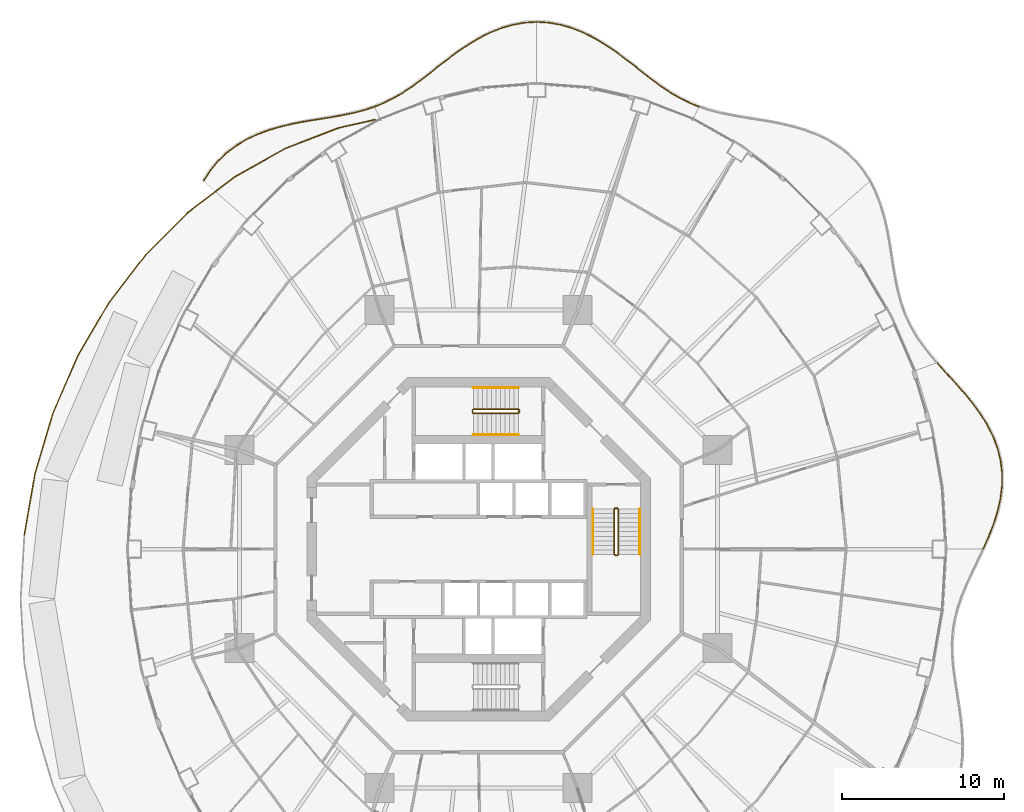
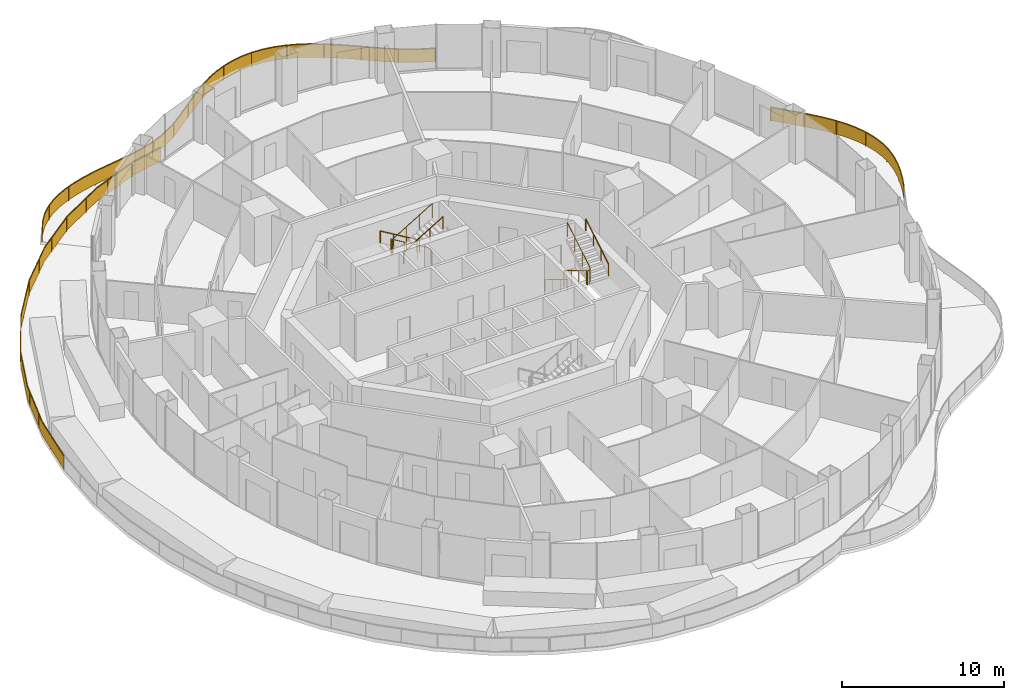
# One storey, part 19 of 20: 12 railings.
"""IFC4 building model written with IfcOpenShell, lengths in metres."""

import ifcopenshell
import ifcopenshell.guid

model = None  # the IFC model being written
_history = None  # IfcOwnerHistory: only IFC2X3 demands one
_inside = {}  # id of a spatial element -> (the spatial element, [elements in it])
_under = {}  # id of a project, library or spatial element -> (it, [spatial elements below it])
_declared = {}  # id of a project -> (the project, [libraries it declares])
_typed = {}  # id of a type object -> (the type object, [elements of that type])
_made_of = {}  # id of a material, layer set ... -> (it, [elements and type objects made of it])


def new_model(schema):
    """Start an empty IFC model of exactly this schema.

    Asked for "IFC4X3", IfcOpenShell would pick the latest addendum, in which some entities
    have other attributes; the version numbers below select the first issue.
    IFC2X3 requires an IfcOwnerHistory on every rooted entity: one is made here for all.
    """
    global model, _history
    if schema == "IFC4X3":
        model = ifcopenshell.file(schema_version=(4, 3, 0, 0))
    else:
        model = ifcopenshell.file(schema=schema)
    _inside.clear()
    _under.clear()
    _declared.clear()
    _typed.clear()
    _made_of.clear()
    _history = None
    if model.schema == "IFC2X3":
        org = make("IfcOrganization", Name="unknown")
        user = make(
            "IfcPersonAndOrganization",
            ThePerson=make("IfcPerson", FamilyName="unknown"),
            TheOrganization=org,
        )
        app = make(
            "IfcApplication",
            ApplicationDeveloper=org,
            Version="unknown",
            ApplicationFullName="unknown",
            ApplicationIdentifier="unknown",
        )
        _history = make(
            "IfcOwnerHistory",
            OwningUser=user,
            OwningApplication=app,
            ChangeAction="ADDED",
            CreationDate=0,
        )
    return model


def make(cls, **values):
    """One entity of the class cls with the attributes given. An attribute that is None is left unset."""
    return model.create_entity(
        cls, **{name: value for name, value in values.items() if value is not None}
    )


def rooted(cls, **values):
    """An entity with a GlobalId (a new one), such as an element, a storey or a relation."""
    return make(cls, GlobalId=ifcopenshell.guid.new(), OwnerHistory=_history, **values)


def si_unit(unit_type, name, prefix=None):
    """IfcSIUnit, for example si_unit("LENGTHUNIT", "METRE", prefix="MILLI")."""
    return make("IfcSIUnit", UnitType=unit_type, Prefix=prefix, Name=name)


def assignment(units):
    """IfcUnitAssignment: the units of a project."""
    return None if units is None else make("IfcUnitAssignment", Units=units)


def point(xyz):
    """IfcCartesianPoint."""
    return None if xyz is None else make("IfcCartesianPoint", Coordinates=xyz)


def direction(xyz):
    """IfcDirection."""
    return None if xyz is None else make("IfcDirection", DirectionRatios=xyz)


def frame(location, z_axis=None, x_axis=None):
    """IfcAxis2Placement3D, a coordinate frame: its origin and axes. An axis left out is left unset."""
    return make(
        "IfcAxis2Placement3D",
        Location=point(location),
        Axis=direction(z_axis),
        RefDirection=direction(x_axis),
    )


def frame_2d(location, x_axis=None):
    """IfcAxis2Placement2D, a coordinate frame in the plane: its origin and x axis."""
    return make(
        "IfcAxis2Placement2D", Location=point(location), RefDirection=direction(x_axis)
    )


def origin():
    """The frame at (0, 0, 0) with its axes left unset."""
    return frame((0.0, 0.0, 0.0))


def origin_2d():
    """The frame at (0, 0) in the plane with its x axis left unset."""
    return frame_2d((0.0, 0.0))


def place(relative_to, where):
    """IfcLocalPlacement: puts the frame where relative to a parent placement (None: the world)."""
    return make(
        "IfcLocalPlacement", PlacementRelTo=relative_to, RelativePlacement=where
    )


def context(
    kind, dimensions, precision=None, world=None, true_north=None, identifier=None
):
    """IfcGeometricRepresentationContext, for example the 3D "Model" context."""
    return make(
        "IfcGeometricRepresentationContext",
        ContextIdentifier=identifier,
        ContextType=kind,
        CoordinateSpaceDimension=dimensions,
        Precision=precision,
        WorldCoordinateSystem=world,
        TrueNorth=true_north,
    )


def subcontext(parent, identifier, kind, view, scale=None):
    """IfcGeometricRepresentationSubContext, for example "Body" below "Model"."""
    return make(
        "IfcGeometricRepresentationSubContext",
        ContextIdentifier=identifier,
        ContextType=kind,
        ParentContext=parent,
        TargetScale=scale,
        TargetView=view,
    )


def project(units=None, contexts=None):
    """IfcProject with its units and contexts."""
    return rooted(
        "IfcProject",
        Name="project",
        RepresentationContexts=contexts,
        UnitsInContext=assignment(units),
    )


def spatial(cls, under=None, at=None, **own):
    """A site, building, storey or space (cls), placed at a placement, below another one or the project."""
    s = rooted(cls, ObjectPlacement=at, **own)
    if under is not None:
        _under.setdefault(under.id(), (under, []))[1].append(s)
    return s


def polyline(points):
    """IfcPolyline through the points."""
    return make("IfcPolyline", Points=[point(p) for p in points])


def profile(cls, at=None, kind="AREA", **sizes):
    """A parametric profile (cls). Its sizes go by their IFC names, for example OverallWidth=200.0."""
    return make(cls, ProfileType=kind, Position=at, **sizes)


def rectangle(**sizes):
    """IfcRectangleProfileDef."""
    return profile("IfcRectangleProfileDef", **sizes)


def circle(**sizes):
    """IfcCircleProfileDef."""
    return profile("IfcCircleProfileDef", **sizes)


def outline(outer, holes=None, kind="AREA"):
    """IfcArbitraryClosedProfileDef: a profile drawn as a closed curve; with holes, ...WithVoids."""
    if holes is None:
        return make("IfcArbitraryClosedProfileDef", ProfileType=kind, OuterCurve=outer)
    return make(
        "IfcArbitraryProfileDefWithVoids",
        ProfileType=kind,
        OuterCurve=outer,
        InnerCurves=holes,
    )


def extrude(swept, where, along, depth):
    """IfcExtrudedAreaSolid: the profile swept, set in the frame where, extruded along a direction by depth."""
    return make(
        "IfcExtrudedAreaSolid",
        SweptArea=swept,
        Position=where,
        ExtrudedDirection=direction(along),
        Depth=depth,
    )


def shape(context_of_items, identifier, shape_type, items):
    """IfcShapeRepresentation: the items that make up one representation, for example the "Body"."""
    return make(
        "IfcShapeRepresentation",
        ContextOfItems=context_of_items,
        RepresentationIdentifier=identifier,
        RepresentationType=shape_type,
        Items=items,
    )


def material(Name=None, Category=None):
    """IfcMaterial."""
    return make("IfcMaterial", Name=Name, Category=Category)


def made_of(thing, what):
    """Note that an element or type object is made of a material, layer set ...; save() writes the relation."""
    if what is not None:
        _made_of.setdefault(what.id(), (what, []))[1].append(thing)
    return thing


def type_object(cls, material=None, **own):
    """A type object (cls), such as IfcWallType, which elements share."""
    return made_of(rooted(cls, **own), material)


def element(
    cls,
    number,
    at=None,
    inside=None,
    cuts=None,
    type_object=None,
    material=None,
    context=None,
    identifier="Body",
    shape_type=None,
    held_by="IfcProductDefinitionShape",
    body=None,
    shapes=None,
    **own,
):
    """One element of the class cls, such as IfcWall. Its Tag is "e" and its number.

    at: its placement. inside: the storey or other place that contains it. cuts: it is an
    opening in that element (IfcRelVoidsElement). A single representation is given by context,
    identifier, shape_type and body (its items); several are given by shapes. held_by: the class
    of the entity that holds the representations. save() writes the other relations.
    """
    e = rooted(cls, Tag="e%d" % number, ObjectPlacement=at, **own)
    if body is not None:
        shapes = [shape(context, identifier, shape_type, body)]
    if shapes is not None:
        e.Representation = make(held_by, Representations=shapes)
    if inside is not None:
        _inside.setdefault(inside.id(), (inside, []))[1].append(e)
    if cuts is not None:
        rooted(
            "IfcRelVoidsElement", RelatingBuildingElement=cuts, RelatedOpeningElement=e
        )
    if type_object is not None:
        _typed.setdefault(type_object.id(), (type_object, []))[1].append(e)
    return made_of(e, material)


def aggregate(whole, parts):
    """IfcRelAggregates: a whole, such as a stair, and the parts it consists of."""
    return rooted("IfcRelAggregates", RelatingObject=whole, RelatedObjects=parts)


def save(model, path):
    """Write the relations noted so far, then the file.

    IfcRelAggregates (storeys below a building ...), IfcRelContainedInSpatialStructure (elements
    in a storey), IfcRelDefinesByType, IfcRelAssociatesMaterial and IfcRelDeclares: one each for
    every whole, place, type object, material and project.
    """
    for whole, parts in _under.values():
        aggregate(whole, parts)
    for where, things in _inside.values():
        rooted(
            "IfcRelContainedInSpatialStructure",
            RelatedElements=things,
            RelatingStructure=where,
        )
    for kind, things in _typed.values():
        rooted("IfcRelDefinesByType", RelatedObjects=things, RelatingType=kind)
    for what, things in _made_of.values():
        rooted("IfcRelAssociatesMaterial", RelatedObjects=things, RelatingMaterial=what)
    for by, libraries in _declared.values():
        rooted("IfcRelDeclares", RelatingContext=by, RelatedDefinitions=libraries)
    model.write(path)


model = new_model("IFC4")

# Units and contexts
model_context = context("Model", 3, precision=1e-05, world=origin(), true_north=direction((0.0, 1.0)))
body_context = subcontext(model_context, "Body", "Model", "MODEL_VIEW")
ifc_project = project(units=[si_unit("LENGTHUNIT", "METRE"), si_unit("AREAUNIT", "SQUARE_METRE"), si_unit("VOLUMEUNIT", "CUBIC_METRE"), si_unit("PLANEANGLEUNIT", "RADIAN"), si_unit("MASSUNIT", "GRAM", prefix="KILO")], contexts=[model_context])

# Site, building, storey
site_placement = place(None, origin())
site = spatial("IfcSite", under=ifc_project, at=site_placement, CompositionType="ELEMENT")
building_placement = place(site_placement, origin())
building = spatial("IfcBuilding", under=site, at=building_placement, Name="Nagisa Residences", CompositionType="ELEMENT")
storey_placement = place(building_placement, frame((0.0, 0.0, 165.89990234375)))
storey = spatial("IfcBuildingStorey", under=building, at=storey_placement, Name="L41", CompositionType="ELEMENT", Elevation=165.89990234375)

# Railings
ifc_material_1 = material(Name="Stainless steel 316", Category="steel")
railing_type_1 = type_object("IfcRailingType", Name="BALCONY GUARD 1100", PredefinedType="BALUSTRADE", material=ifc_material_1)
railing_1_placement = place(storey_placement, frame((31.205078125, 0.0, 0.0)))
element("IfcRailing", 1, at=railing_1_placement, inside=storey, type_object=railing_type_1, Name="guard:L41:bal00-0", PredefinedType="BALUSTRADE", context=body_context, shape_type="SweptSolid", body=[
    extrude(outline(polyline([(0.31591796875, 0.765380859375), (-0.02294921875, 0.01025390625), (0.02294921875, -0.01025390625), (0.3623046875, 0.745849609375), (0.666259765625, 1.5234375), (0.91650390625, 2.3125), (1.096923828125, 3.10888671875), (1.194580078125, 3.90771484375), (1.20166015625, 4.689453125), (1.109619140625, 5.47509765625), (0.920166015625, 6.244873046875), (0.6376953125, 6.994384765625), (0.270751953125, 7.71923828125), (-0.16455078125, 8.40380859375), (-0.65966796875, 9.07470703125), (-1.193115234375, 9.720458984375), (-1.746826171875, 10.34423828125), (-2.301513671875, 10.951416015625), (-2.838134765625, 11.541748046875), (-2.875244140625, 11.508056640625), (-2.338623046875, 10.917724609375), (-1.783935546875, 10.310546875), (-1.231201171875, 9.687744140625), (-0.69921875, 9.0439453125), (-0.2060546875, 8.37548828125), (0.227294921875, 7.6943359375), (0.591796875, 6.974365234375), (0.872314453125, 6.230224609375), (1.060302734375, 5.46630859375), (1.1513671875, 4.6865234375), (1.144775390625, 3.9111328125), (1.047607421875, 3.11767578125), (0.8681640625, 2.32568359375), (0.618896484375, 1.5400390625), (0.31591796875, 0.765380859375)])), frame((0.0, 0.0, 1.050048828125)), (0.0, 0.0, 1.0), 0.050048828125),
    extrude(outline(polyline([(0.332763671875, 0.75830078125), (-0.00634765625, 0.0029296875), (0.00634765625, -0.0029296875), (0.345458984375, 0.7529296875), (0.649169921875, 1.529296875), (0.899169921875, 2.317138671875), (1.0791015625, 3.112060546875), (1.1767578125, 3.908935546875), (1.18359375, 4.6884765625), (1.091796875, 5.471923828125), (0.90283203125, 6.23974609375), (0.62109375, 6.9873046875), (0.255126953125, 7.710205078125), (-0.179443359375, 8.3935546875), (-0.673828125, 9.063720703125), (-1.206787109375, 9.708740234375), (-1.76025390625, 10.33203125), (-2.31494140625, 10.939208984375), (-2.8515625, 11.529541015625), (-2.86181640625, 11.520263671875), (-2.3251953125, 10.929931640625), (-1.7705078125, 10.32275390625), (-1.217529296875, 9.699462890625), (-0.68505859375, 9.054931640625), (-0.191162109375, 8.3857421875), (0.242919921875, 7.703369140625), (0.6083984375, 6.9814453125), (0.8896484375, 6.2353515625), (1.078125, 5.469482421875), (1.16943359375, 4.6875), (1.16259765625, 3.909912109375), (1.0654296875, 3.114501953125), (0.885498046875, 2.321044921875), (0.635986328125, 1.5341796875), (0.332763671875, 0.75830078125)])), frame((0.0, 0.0, 0.06005859375)), (0.0, 0.0, 1.0), 0.989990234375),
    extrude(rectangle(XDim=0.0400390625, YDim=0.0400390625, at=origin_2d()), origin(), (0.0, 0.0, 1.0), 1.050048828125),
    extrude(rectangle(XDim=0.0400390625, YDim=0.0400390625, at=origin_2d()), frame((0.795166015625, 2.01318359375, 0.0)), (0.0, 0.0, 1.0), 1.050048828125),
    extrude(rectangle(XDim=0.0400390625, YDim=0.0400390625, at=origin_2d()), frame((1.171630859375, 4.138671875, 0.0)), (0.0, 0.0, 1.0), 1.050048828125),
    extrude(rectangle(XDim=0.0400390625, YDim=0.0400390625, at=origin_2d()), frame((0.88232421875, 6.2744140625, 0.0)), (0.0, 0.0, 1.0), 1.050048828125),
    extrude(rectangle(XDim=0.0400390625, YDim=0.0400390625, at=origin_2d()), frame((-0.072021484375, 8.211669921875, 0.0)), (0.0, 0.0, 1.0), 1.050048828125),
    extrude(rectangle(XDim=0.0400390625, YDim=0.0400390625, at=origin_2d()), frame((-1.402587890625, 9.918701171875, 0.0)), (0.0, 0.0, 1.0), 1.050048828125),
    extrude(rectangle(XDim=0.0400390625, YDim=0.0400390625, at=origin_2d()), frame((-2.856689453125, 11.52490234375, 0.0)), (0.0, 0.0, 1.0), 1.050048828125),
])
railing_2_placement = place(storey_placement, frame((13.6328125, 27.360595703125, 0.0)))
element("IfcRailing", 2, at=railing_2_placement, inside=storey, type_object=railing_type_1, Name="guard:L41:bal03-0", PredefinedType="BALUSTRADE", context=body_context, shape_type="SweptSolid", body=[
    extrude(outline(polyline([(-0.6044921875, 0.22021484375), (-0.009521484375, -0.023193359375), (0.009521484375, 0.023193359375), (-0.583984375, 0.265625), (-1.166015625, 0.554931640625), (-1.735107421875, 0.8876953125), (-2.29638671875, 1.26123046875), (-2.85693359375, 1.670166015625), (-3.40625, 2.101318359375), (-3.9833984375, 2.5546875), (-4.57666015625, 3.0126953125), (-5.190185546875, 3.4619140625), (-5.826171875, 3.888671875), (-6.468994140625, 4.27587890625), (-7.150634765625, 4.615966796875), (-7.853271484375, 4.893798828125), (-8.57275390625, 5.10009765625), (-9.30419921875, 5.22705078125), (-10.03125, 5.269287109375), (-10.0341796875, 5.219482421875), (-9.31005859375, 5.17724609375), (-8.583984375, 5.05126953125), (-7.869384765625, 4.846435546875), (-7.171142578125, 4.570068359375), (-6.492919921875, 4.23193359375), (-5.85302734375, 3.84619140625), (-5.218994140625, 3.4208984375), (-4.60693359375, 2.97265625), (-4.01416015625, 2.51513671875), (-3.43701171875, 2.061767578125), (-2.88720703125, 1.630126953125), (-2.3251953125, 1.22021484375), (-1.761474609375, 0.84521484375), (-1.18994140625, 0.510986328125), (-0.6044921875, 0.22021484375)])), frame((0.0, 0.0, 1.050048828125)), (0.0, 0.0, 1.0), 0.050048828125),
    extrude(outline(polyline([(-0.59716796875, 0.236572265625), (-0.002685546875, -0.006591796875), (0.002685546875, 0.006591796875), (-0.59130859375, 0.249267578125), (-1.174560546875, 0.5390625), (-1.74462890625, 0.872314453125), (-2.306884765625, 1.24658203125), (-2.867919921875, 1.65576171875), (-3.417236328125, 2.087158203125), (-3.994384765625, 2.54052734375), (-4.587646484375, 2.998291015625), (-5.20068359375, 3.447021484375), (-5.8359375, 3.873291015625), (-6.4775390625, 4.260009765625), (-7.157958984375, 4.599365234375), (-7.859130859375, 4.876708984375), (-8.576904296875, 5.08251953125), (-9.306396484375, 5.209228515625), (-10.0322265625, 5.25146484375), (-10.033203125, 5.2373046875), (-9.307861328125, 5.195068359375), (-8.579833984375, 5.06884765625), (-7.863525390625, 4.863525390625), (-7.163818359375, 4.586669921875), (-6.484375, 4.247802734375), (-5.84326171875, 3.861572265625), (-5.20849609375, 3.435791015625), (-4.595947265625, 2.987060546875), (-4.003173828125, 2.529296875), (-3.426025390625, 2.075927734375), (-2.876220703125, 1.64453125), (-2.314697265625, 1.23486328125), (-1.751953125, 0.860595703125), (-1.181396484375, 0.52685546875), (-0.59716796875, 0.236572265625)])), frame((0.0, 0.0, 0.06005859375)), (0.0, 0.0, 1.0), 0.989990234375),
    extrude(rectangle(XDim=0.0400390625, YDim=0.0400390625, at=origin_2d()), origin(), (0.0, 0.0, 1.0), 1.050048828125),
    extrude(rectangle(XDim=0.0400390625, YDim=0.0400390625, at=origin_2d()), frame((-2.036865234375, 1.058349609375, 0.0)), (0.0, 0.0, 1.0), 1.050048828125),
    extrude(rectangle(XDim=0.0400390625, YDim=0.0400390625, at=origin_2d()), frame((-3.87646484375, 2.43896484375, 0.0)), (0.0, 0.0, 1.0), 1.050048828125),
    extrude(rectangle(XDim=0.0400390625, YDim=0.0400390625, at=origin_2d()), frame((-5.7333984375, 3.796142578125, 0.0)), (0.0, 0.0, 1.0), 1.050048828125),
    extrude(rectangle(XDim=0.0400390625, YDim=0.0400390625, at=origin_2d()), frame((-7.77880859375, 4.83740234375, 0.0)), (0.0, 0.0, 1.0), 1.050048828125),
    extrude(rectangle(XDim=0.0400390625, YDim=0.0400390625, at=origin_2d()), frame((-10.03271484375, 5.244384765625, 0.0)), (0.0, 0.0, 1.0), 1.050048828125),
])
railing_3_placement = place(storey_placement, frame((3.60009765625, 32.60498046875, 0.0)))
element("IfcRailing", 3, at=railing_3_placement, inside=storey, type_object=railing_type_1, Name="guard:L41:bal04-0", PredefinedType="BALUSTRADE", context=body_context, shape_type="SweptSolid", body=[
    extrude(outline(polyline([(-0.722900390625, -0.067138671875), (0.00146484375, -0.02490234375), (-0.00146484375, 0.02490234375), (-0.728759765625, -0.017333984375), (-1.4599609375, -0.144287109375), (-2.179443359375, -0.3505859375), (-2.88232421875, -0.62841796875), (-3.56396484375, -0.968505859375), (-4.20654296875, -1.355712890625), (-4.8427734375, -1.782470703125), (-5.456298828125, -2.231689453125), (-6.049560546875, -2.689697265625), (-6.626708984375, -3.14306640625), (-7.176025390625, -3.57421875), (-7.736572265625, -3.983154296875), (-8.2978515625, -4.356689453125), (-8.866943359375, -4.689453125), (-9.44873046875, -4.978759765625), (-10.04248046875, -5.22119140625), (-10.0234375, -5.267578125), (-9.42822265625, -5.024169921875), (-8.843017578125, -4.7333984375), (-8.271484375, -4.399169921875), (-7.707763671875, -4.024169921875), (-7.145751953125, -3.6142578125), (-6.595947265625, -3.1826171875), (-6.018798828125, -2.729248046875), (-5.426025390625, -2.271728515625), (-4.81396484375, -1.823486328125), (-4.1796875, -1.398193359375), (-3.5400390625, -1.012451171875), (-2.86181640625, -0.67431640625), (-2.163330078125, -0.39794921875), (-1.44873046875, -0.193115234375), (-0.722900390625, -0.067138671875)])), frame((0.0, 0.0, 1.050048828125)), (0.0, 0.0, 1.0), 0.050048828125),
    extrude(outline(polyline([(-0.72509765625, -0.04931640625), (0.00048828125, -0.007080078125), (-0.00048828125, 0.007080078125), (-0.7265625, -0.03515625), (-1.455810546875, -0.161865234375), (-2.173583984375, -0.36767578125), (-2.875, -0.64501953125), (-3.555419921875, -0.984375), (-4.19677734375, -1.37109375), (-4.832275390625, -1.79736328125), (-5.4453125, -2.24609375), (-6.03857421875, -2.703857421875), (-6.61572265625, -3.1572265625), (-7.1650390625, -3.588623046875), (-7.72607421875, -3.997802734375), (-8.288330078125, -4.3720703125), (-8.8583984375, -4.705322265625), (-9.44140625, -4.9951171875), (-10.03564453125, -5.23779296875), (-10.0302734375, -5.2509765625), (-9.435546875, -5.0078125), (-8.8515625, -4.717529296875), (-8.281005859375, -4.3837890625), (-7.71826171875, -4.009521484375), (-7.15673828125, -3.599853515625), (-6.60693359375, -3.16845703125), (-6.02978515625, -2.715087890625), (-5.43701171875, -2.25732421875), (-4.824462890625, -1.80859375), (-4.189453125, -1.3828125), (-3.548583984375, -0.99658203125), (-2.869140625, -0.65771484375), (-2.169189453125, -0.380859375), (-1.452880859375, -0.175537109375), (-0.72509765625, -0.04931640625)])), frame((0.0, 0.0, 0.06005859375)), (0.0, 0.0, 1.0), 0.989990234375),
    extrude(rectangle(XDim=0.0400390625, YDim=0.0400390625, at=origin_2d()), origin(), (0.0, 0.0, 1.0), 1.050048828125),
    extrude(rectangle(XDim=0.0400390625, YDim=0.0400390625, at=origin_2d()), frame((-2.25390625, -0.406982421875, 0.0)), (0.0, 0.0, 1.0), 1.050048828125),
    extrude(rectangle(XDim=0.0400390625, YDim=0.0400390625, at=origin_2d()), frame((-4.29931640625, -1.4482421875, 0.0)), (0.0, 0.0, 1.0), 1.050048828125),
    extrude(rectangle(XDim=0.0400390625, YDim=0.0400390625, at=origin_2d()), frame((-6.15625, -2.805419921875, 0.0)), (0.0, 0.0, 1.0), 1.050048828125),
    extrude(rectangle(XDim=0.0400390625, YDim=0.0400390625, at=origin_2d()), frame((-7.99609375, -4.18603515625, 0.0)), (0.0, 0.0, 1.0), 1.050048828125),
    extrude(rectangle(XDim=0.0400390625, YDim=0.0400390625, at=origin_2d()), frame((-10.032958984375, -5.244384765625, 0.0)), (0.0, 0.0, 1.0), 1.050048828125),
])
railing_4_placement = place(storey_placement, frame((-6.432861328125, 27.360595703125, 0.0)))
element("IfcRailing", 4, at=railing_4_placement, inside=storey, type_object=railing_type_1, Name="guard:L41:bal05-0", PredefinedType="BALUSTRADE", context=body_context, shape_type="SweptSolid", body=[
    extrude(outline(polyline([(-0.6337890625, -0.232666015625), (0.0078125, -0.023681640625), (-0.0078125, 0.023681640625), (-0.64794921875, -0.184814453125), (-1.3212890625, -0.359375), (-2.022216796875, -0.5048828125), (-2.748291015625, -0.63232421875), (-3.495361328125, -0.75341796875), (-4.243896484375, -0.87158203125), (-5.01318359375, -1.018310546875), (-5.779541015625, -1.1962890625), (-6.532958984375, -1.416748046875), (-7.26220703125, -1.6884765625), (-7.944091796875, -2.008056640625), (-8.59375, -2.401123046875), (-9.18994140625, -2.8583984375), (-9.72607421875, -3.379150390625), (-10.19775390625, -3.959228515625), (-10.59716796875, -4.58642578125), (-10.55517578125, -4.61328125), (-10.1572265625, -3.988525390625), (-9.68896484375, -3.412841796875), (-9.1572265625, -2.896484375), (-8.5654296875, -2.442626953125), (-7.920654296875, -2.052490234375), (-7.24267578125, -1.73486328125), (-6.517333984375, -1.464111328125), (-5.766845703125, -1.24462890625), (-5.0029296875, -1.067138671875), (-4.235107421875, -0.9208984375), (-3.487548828125, -0.802734375), (-2.739990234375, -0.681640625), (-2.012939453125, -0.55419921875), (-1.31005859375, -0.408203125), (-0.6337890625, -0.232666015625)])), frame((0.0, 0.0, 1.050048828125)), (0.0, 0.0, 1.0), 0.050048828125),
    extrude(outline(polyline([(-0.638916015625, -0.215576171875), (0.002197265625, -0.006591796875), (-0.002197265625, 0.006591796875), (-0.642822265625, -0.201904296875), (-1.3173828125, -0.376953125), (-2.018798828125, -0.522705078125), (-2.745361328125, -0.650146484375), (-3.49267578125, -0.771240234375), (-4.24072265625, -0.889404296875), (-5.009521484375, -1.035888671875), (-5.77490234375, -1.213623046875), (-6.52734375, -1.433837890625), (-7.255126953125, -1.705322265625), (-7.935791015625, -2.024169921875), (-8.58349609375, -2.416015625), (-9.17822265625, -2.8720703125), (-9.712646484375, -3.391357421875), (-10.18310546875, -3.9697265625), (-10.58203125, -4.59619140625), (-10.5703125, -4.603515625), (-10.171875, -3.97802734375), (-9.702392578125, -3.400634765625), (-9.1689453125, -2.8828125), (-8.57568359375, -2.427734375), (-7.928955078125, -2.036376953125), (-7.249755859375, -1.718017578125), (-6.52294921875, -1.447021484375), (-5.771484375, -1.227294921875), (-5.006591796875, -1.049560546875), (-4.23828125, -0.903076171875), (-3.490234375, -0.784912109375), (-2.742919921875, -0.663818359375), (-2.016357421875, -0.536376953125), (-1.31396484375, -0.390625), (-0.638916015625, -0.215576171875)])), frame((0.0, 0.0, 0.06005859375)), (0.0, 0.0, 1.0), 0.989990234375),
    extrude(rectangle(XDim=0.0400390625, YDim=0.0400390625, at=origin_2d()), origin(), (0.0, 0.0, 1.0), 1.050048828125),
    extrude(rectangle(XDim=0.0400390625, YDim=0.0400390625, at=origin_2d()), frame((-2.31591796875, -0.581787109375, 0.0)), (0.0, 0.0, 1.0), 1.050048828125),
    extrude(rectangle(XDim=0.0400390625, YDim=0.0400390625, at=origin_2d()), frame((-4.673583984375, -0.97900390625, 0.0)), (0.0, 0.0, 1.0), 1.050048828125),
    extrude(rectangle(XDim=0.0400390625, YDim=0.0400390625, at=origin_2d()), frame((-6.976318359375, -1.608642578125, 0.0)), (0.0, 0.0, 1.0), 1.050048828125),
    extrude(rectangle(XDim=0.0400390625, YDim=0.0400390625, at=origin_2d()), frame((-9.046875, -2.7802734375, 0.0)), (0.0, 0.0, 1.0), 1.050048828125),
    extrude(rectangle(XDim=0.0400390625, YDim=0.0400390625, at=origin_2d()), frame((-10.576171875, -4.599853515625, 0.0)), (0.0, 0.0, 1.0), 1.050048828125),
])
ifc_material_2 = material(Name="Stainless steel 316", Category="steel")
railing_type_2 = type_object("IfcRailingType", Name="ROOF GUARD 1100", PredefinedType="GUARDRAIL", material=ifc_material_2)
railing_5_placement = place(storey_placement, frame((-6.40087890625, 26.5615234375, 0.0)))
element("IfcRailing", 5, at=railing_5_placement, inside=storey, type_object=railing_type_2, Name="guard:L41:garden00", PredefinedType="GUARDRAIL", context=body_context, shape_type="SweptSolid", body=[
    extrude(outline(polyline([(-2.259521484375, -0.537109375), (0.005615234375, -0.0244140625), (-0.005615234375, 0.0244140625), (-2.274169921875, -0.4892578125), (-5.564453125, -1.760009765625), (-8.68017578125, -3.508544921875), (-11.569091796875, -5.705078125), (-14.1513671875, -8.281982421875), (-14.1162109375, -8.317626953125), (-11.535888671875, -5.74267578125), (-8.65283203125, -3.550537109375), (-5.54296875, -1.805419921875), (-2.259521484375, -0.537109375)])), frame((0.0, 0.0, 1.050048828125)), (0.0, 0.0, 1.0), 0.050048828125),
    extrude(outline(polyline([(-2.264892578125, -0.52001953125), (0.00146484375, -0.0068359375), (-0.00146484375, 0.0068359375), (-2.268798828125, -0.50634765625), (-5.556640625, -1.7763671875), (-8.67041015625, -3.523681640625), (-11.55712890625, -5.718505859375), (-14.138671875, -8.294921875), (-14.12890625, -8.3046875), (-11.5478515625, -5.729248046875), (-8.66259765625, -3.535400390625), (-5.55078125, -1.7890625), (-2.264892578125, -0.52001953125)])), frame((0.0, 0.0, 0.06005859375)), (0.0, 0.0, 1.0), 0.989990234375),
    extrude(rectangle(XDim=0.0400390625, YDim=0.0400390625, at=origin_2d()), origin(), (0.0, 0.0, 1.0), 1.050048828125),
    extrude(rectangle(XDim=0.0400390625, YDim=0.0400390625, at=origin_2d()), frame((-2.32275390625, -0.534912109375, 0.0)), (0.0, 0.0, 1.0), 1.050048828125),
    extrude(rectangle(XDim=0.0400390625, YDim=0.0400390625, at=origin_2d()), frame((-4.546875, -1.393798828125, 0.0)), (0.0, 0.0, 1.0), 1.050048828125),
    extrude(rectangle(XDim=0.0400390625, YDim=0.0400390625, at=origin_2d()), frame((-6.691650390625, -2.42138671875, 0.0)), (0.0, 0.0, 1.0), 1.050048828125),
    extrude(rectangle(XDim=0.0400390625, YDim=0.0400390625, at=origin_2d()), frame((-8.76171875, -3.60205078125, 0.0)), (0.0, 0.0, 1.0), 1.050048828125),
    extrude(rectangle(XDim=0.0400390625, YDim=0.0400390625, at=origin_2d()), frame((-10.65966796875, -5.044921875, 0.0)), (0.0, 0.0, 1.0), 1.050048828125),
    extrude(rectangle(XDim=0.0400390625, YDim=0.0400390625, at=origin_2d()), frame((-12.446044921875, -6.61572265625, 0.0)), (0.0, 0.0, 1.0), 1.050048828125),
    extrude(rectangle(XDim=0.0400390625, YDim=0.0400390625, at=origin_2d()), frame((-14.1337890625, -8.2998046875, 0.0)), (0.0, 0.0, 1.0), 1.050048828125),
])
railing_6_placement = place(storey_placement, frame((-20.58740234375, 18.20166015625, 0.0)))
element("IfcRailing", 6, at=railing_6_placement, inside=storey, type_object=railing_type_2, Name="guard:L41:garden01", PredefinedType="GUARDRAIL", context=body_context, shape_type="SweptSolid", body=[
    extrude(outline(polyline([(-2.243408203125, -2.95166015625), (0.019775390625, -0.015380859375), (-0.019775390625, 0.015380859375), (-2.284912109375, -2.923828125), (-4.215087890625, -6.21044921875), (-5.751220703125, -9.755615234375), (-6.867919921875, -13.49853515625), (-7.538330078125, -17.334228515625), (-7.489013671875, -17.343017578125), (-6.819091796875, -13.51025390625), (-5.704345703125, -9.772705078125), (-4.170166015625, -6.2333984375), (-2.243408203125, -2.95166015625)])), frame((0.0, 0.0, 1.050048828125)), (0.0, 0.0, 1.0), 0.050048828125),
    extrude(outline(polyline([(-2.25830078125, -2.941650390625), (0.005615234375, -0.00439453125), (-0.005615234375, 0.00439453125), (-2.27001953125, -2.933837890625), (-4.198974609375, -6.21875), (-5.734375, -9.76171875), (-6.850341796875, -13.502685546875), (-7.5205078125, -17.33740234375), (-7.5068359375, -17.33984375), (-6.836669921875, -13.506103515625), (-5.72119140625, -9.7666015625), (-4.186279296875, -6.22509765625), (-2.25830078125, -2.941650390625)])), frame((0.0, 0.0, 0.06005859375)), (0.0, 0.0, 1.0), 0.989990234375),
    extrude(rectangle(XDim=0.0400390625, YDim=0.0400390625, at=origin_2d()), origin(), (0.0, 0.0, 1.0), 1.050048828125),
    extrude(rectangle(XDim=0.0400390625, YDim=0.0400390625, at=origin_2d()), frame((-1.463134765625, -1.8984375, 0.0)), (0.0, 0.0, 1.0), 1.050048828125),
    extrude(rectangle(XDim=0.0400390625, YDim=0.0400390625, at=origin_2d()), frame((-2.813232421875, -3.872802734375, 0.0)), (0.0, 0.0, 1.0), 1.050048828125),
    extrude(rectangle(XDim=0.0400390625, YDim=0.0400390625, at=origin_2d()), frame((-4.02685546875, -5.939453125, 0.0)), (0.0, 0.0, 1.0), 1.050048828125),
    extrude(rectangle(XDim=0.0400390625, YDim=0.0400390625, at=origin_2d()), frame((-5.015380859375, -8.12060546875, 0.0)), (0.0, 0.0, 1.0), 1.050048828125),
    extrude(rectangle(XDim=0.0400390625, YDim=0.0400390625, at=origin_2d()), frame((-5.90087890625, -10.34423828125, 0.0)), (0.0, 0.0, 1.0), 1.050048828125),
    extrude(rectangle(XDim=0.0400390625, YDim=0.0400390625, at=origin_2d()), frame((-6.5859375, -12.640869140625, 0.0)), (0.0, 0.0, 1.0), 1.050048828125),
    extrude(rectangle(XDim=0.0400390625, YDim=0.0400390625, at=origin_2d()), frame((-7.10107421875, -14.977783203125, 0.0)), (0.0, 0.0, 1.0), 1.050048828125),
    extrude(rectangle(XDim=0.0400390625, YDim=0.0400390625, at=origin_2d()), frame((-7.513671875, -17.338623046875, 0.0)), (0.0, 0.0, 1.0), 1.050048828125),
])
ifc_material_3 = material(Name="Stainless steel", Category="steel")
railing_type_3 = type_object("IfcRailingType", Name="Stair guard 1100", PredefinedType="GUARDRAIL", material=ifc_material_3)
railing_7_placement = place(storey_placement, frame((8.599609375, 2.52490234375, 0.0)))
element("IfcRailing", 7, at=railing_7_placement, inside=storey, type_object=railing_type_3, Name="L41 ST-E stair guard 1", PredefinedType="GUARDRAIL", context=body_context, shape_type="SweptSolid", body=[
    extrude(circle(Radius=0.02392578125, at=origin_2d()), frame((0.0, 0.0, 1.076171875), z_axis=(-1.0, 0.0, 0.0), x_axis=(0.0, -1.0, 0.0)), (0.0, 0.0, 1.0), 0.14990234375),
    extrude(circle(Radius=0.02392578125, at=origin_2d()), frame((-0.14990234375, 0.0, 1.076171875), z_axis=(-0.27434429532, -0.273006030465, 0.922064485248), x_axis=(0.705375805398, -0.708833529934, 0.0)), (0.0, 0.0, 1.0), 0.182373046875),
    extrude(circle(Radius=0.02392578125, at=origin_2d()), frame((-0.199951171875, -0.0498046875, 1.244140625), z_axis=(0.0, -0.857242210791, 0.514913383045), x_axis=(1.0, 0.0, 0.0)), (0.0, 0.0, 1.0), 3.266357421875),
    extrude(circle(Radius=0.02392578125, at=origin_2d()), frame((-0.199951171875, -2.849853515625, 2.92626953125), z_axis=(0.707106781187, -0.707106781187, 0.0), x_axis=(0.707106781187, 0.707106781187, 0.0)), (0.0, 0.0, 1.0), 0.07080078125),
    extrude(circle(Radius=0.02392578125, at=origin_2d()), frame((-0.14990234375, -2.89990234375, 2.92626953125), z_axis=(1.0, 0.0, 0.0), x_axis=(0.0, 1.0, 0.0)), (0.0, 0.0, 1.0), 0.14990234375),
    extrude(circle(Radius=0.02392578125, at=origin_2d()), frame((0.0, -2.89990234375, 2.92626953125), z_axis=(0.274243871929, 0.274243871929, 0.92172696468), x_axis=(-0.707106781187, 0.707106781187, 0.0)), (0.0, 0.0, 1.0), 0.1826171875),
    extrude(circle(Radius=0.02392578125, at=origin_2d()), frame((0.050048828125, -2.849853515625, 3.09423828125), z_axis=(0.0, 0.857242210791, 0.514913383045), x_axis=(-1.0, 0.0, 0.0)), (0.0, 0.0, 1.0), 3.266357421875),
    extrude(circle(Radius=0.02099609375, at=origin_2d()), origin(), (0.0, 0.0, 1.0), 1.052001953125),
    extrude(circle(Radius=0.02099609375, at=origin_2d()), frame((-0.14990234375, 0.0, 0.0)), (0.0, 0.0, 1.0), 1.052001953125),
    extrude(circle(Radius=0.02099609375, at=origin_2d()), frame((-0.199951171875, -0.0498046875, 0.168212890625)), (0.0, 0.0, 1.0), 1.052001953125),
    extrude(circle(Radius=0.02099609375, at=origin_2d()), frame((-0.199951171875, -0.983154296875, 0.728759765625)), (0.0, 0.0, 1.0), 1.052001953125),
    extrude(circle(Radius=0.02099609375, at=origin_2d()), frame((-0.199951171875, -1.91650390625, 1.28955078125)), (0.0, 0.0, 1.0), 1.052001953125),
    extrude(circle(Radius=0.02099609375, at=origin_2d()), frame((-0.199951171875, -2.849853515625, 1.85009765625)), (0.0, 0.0, 1.0), 1.052001953125),
    extrude(circle(Radius=0.02099609375, at=origin_2d()), frame((-0.14990234375, -2.89990234375, 1.85009765625)), (0.0, 0.0, 1.0), 1.052001953125),
    extrude(circle(Radius=0.02099609375, at=origin_2d()), frame((0.0, -2.89990234375, 1.85009765625)), (0.0, 0.0, 1.0), 1.052001953125),
    extrude(circle(Radius=0.02099609375, at=origin_2d()), frame((0.050048828125, -2.849853515625, 2.018310546875)), (0.0, 0.0, 1.0), 1.052001953125),
    extrude(circle(Radius=0.02099609375, at=origin_2d()), frame((0.050048828125, -1.91650390625, 2.578857421875)), (0.0, 0.0, 1.0), 1.052001953125),
    extrude(circle(Radius=0.02099609375, at=origin_2d()), frame((0.050048828125, -0.983154296875, 3.1396484375)), (0.0, 0.0, 1.0), 1.052001953125),
    extrude(circle(Radius=0.02099609375, at=origin_2d()), frame((0.050048828125, -0.0498046875, 3.7001953125)), (0.0, 0.0, 1.0), 1.052001953125),
])
railing_8_placement = place(storey_placement, frame((2.52490234375, 8.44970703125, 0.0)))
element("IfcRailing", 8, at=railing_8_placement, inside=storey, type_object=railing_type_3, Name="L41 ST-N stair guard 1", PredefinedType="GUARDRAIL", context=body_context, shape_type="SweptSolid", body=[
    extrude(circle(Radius=0.02392578125, at=origin_2d()), frame((0.0, 0.0, 1.076171875), z_axis=(0.0, 1.0, 0.0), x_axis=(-1.0, 0.0, 0.0)), (0.0, 0.0, 1.0), 0.14990234375),
    extrude(circle(Radius=0.02392578125, at=origin_2d()), frame((0.0, 0.14990234375, 1.076171875), z_axis=(-0.273006030465, 0.27434429532, 0.922064485248), x_axis=(-0.708833529934, -0.705375805398, 0.0)), (0.0, 0.0, 1.0), 0.182373046875),
    extrude(circle(Radius=0.02392578125, at=origin_2d()), frame((-0.0498046875, 0.199951171875, 1.244140625), z_axis=(-0.857242210791, 0.0, 0.514913383045), x_axis=(0.0, -1.0, 0.0)), (0.0, 0.0, 1.0), 3.266357421875),
    extrude(circle(Radius=0.02392578125, at=origin_2d()), frame((-2.849853515625, 0.199951171875, 2.92626953125), z_axis=(-0.707106781187, -0.707106781187, 0.0), x_axis=(0.707106781187, -0.707106781187, 0.0)), (0.0, 0.0, 1.0), 0.07080078125),
    extrude(circle(Radius=0.02392578125, at=origin_2d()), frame((-2.89990234375, 0.14990234375, 2.92626953125), z_axis=(0.0, -1.0, 0.0), x_axis=(1.0, 0.0, 0.0)), (0.0, 0.0, 1.0), 0.14990234375),
    extrude(circle(Radius=0.02392578125, at=origin_2d()), frame((-2.89990234375, 0.0, 2.92626953125), z_axis=(0.274243871929, -0.274243871929, 0.92172696468), x_axis=(0.707106781187, 0.707106781187, 0.0)), (0.0, 0.0, 1.0), 0.1826171875),
    extrude(circle(Radius=0.02392578125, at=origin_2d()), frame((-2.849853515625, -0.050048828125, 3.09423828125), z_axis=(0.857242210791, 0.0, 0.514913383045), x_axis=(0.0, 1.0, 0.0)), (0.0, 0.0, 1.0), 3.266357421875),
    extrude(circle(Radius=0.02099609375, at=origin_2d()), origin(), (0.0, 0.0, 1.0), 1.052001953125),
    extrude(circle(Radius=0.02099609375, at=origin_2d()), frame((0.0, 0.14990234375, 0.0)), (0.0, 0.0, 1.0), 1.052001953125),
    extrude(circle(Radius=0.02099609375, at=origin_2d()), frame((-0.0498046875, 0.199951171875, 0.168212890625)), (0.0, 0.0, 1.0), 1.052001953125),
    extrude(circle(Radius=0.02099609375, at=origin_2d()), frame((-0.983154296875, 0.199951171875, 0.728759765625)), (0.0, 0.0, 1.0), 1.052001953125),
    extrude(circle(Radius=0.02099609375, at=origin_2d()), frame((-1.91650390625, 0.199951171875, 1.28955078125)), (0.0, 0.0, 1.0), 1.052001953125),
    extrude(circle(Radius=0.02099609375, at=origin_2d()), frame((-2.849853515625, 0.199951171875, 1.85009765625)), (0.0, 0.0, 1.0), 1.052001953125),
    extrude(circle(Radius=0.02099609375, at=origin_2d()), frame((-2.89990234375, 0.14990234375, 1.85009765625)), (0.0, 0.0, 1.0), 1.052001953125),
    extrude(circle(Radius=0.02099609375, at=origin_2d()), frame((-2.89990234375, 0.0, 1.85009765625)), (0.0, 0.0, 1.0), 1.052001953125),
    extrude(circle(Radius=0.02099609375, at=origin_2d()), frame((-2.849853515625, -0.050048828125, 2.018310546875)), (0.0, 0.0, 1.0), 1.052001953125),
    extrude(circle(Radius=0.02099609375, at=origin_2d()), frame((-1.91650390625, -0.050048828125, 2.578857421875)), (0.0, 0.0, 1.0), 1.052001953125),
    extrude(circle(Radius=0.02099609375, at=origin_2d()), frame((-0.983154296875, -0.050048828125, 3.1396484375)), (0.0, 0.0, 1.0), 1.052001953125),
    extrude(circle(Radius=0.02099609375, at=origin_2d()), frame((-0.0498046875, -0.050048828125, 3.7001953125)), (0.0, 0.0, 1.0), 1.052001953125),
])
ifc_material_4 = material(Name="Stainless steel", Category="steel")
railing_type_4 = type_object("IfcRailingType", Name="Stair handrail 900", PredefinedType="HANDRAIL", material=ifc_material_4)
railing_9_placement = place(storey_placement, frame((7.07470703125, 2.47509765625, 0.168212890625)))
element("IfcRailing", 9, at=railing_9_placement, inside=storey, type_object=railing_type_4, Name="L41 ST-E stair handrail 1", PredefinedType="HANDRAIL", context=body_context, shape_type="SweptSolid", body=[
    extrude(circle(Radius=0.02392578125, at=origin_2d()), frame((0.0, 0.0, 0.8759765625), z_axis=(0.0, -0.857242210791, 0.514913383045), x_axis=(1.0, 0.0, 0.0)), (0.0, 0.0, 1.0), 3.266357421875),
    extrude(circle(Radius=0.02099609375, at=origin_2d()), origin(), (0.0, 0.0, 1.0), 0.851806640625),
    extrude(circle(Radius=0.02099609375, at=origin_2d()), frame((0.0, -0.933349609375, 0.560546875)), (0.0, 0.0, 1.0), 0.851806640625),
    extrude(circle(Radius=0.02099609375, at=origin_2d()), frame((0.0, -1.86669921875, 1.121337890625)), (0.0, 0.0, 1.0), 0.851806640625),
    extrude(circle(Radius=0.02099609375, at=origin_2d()), frame((0.0, -2.800048828125, 1.681884765625)), (0.0, 0.0, 1.0), 0.851806640625),
])
railing_10_placement = place(storey_placement, frame((9.974609375, -0.324951171875, 2.018310546875)))
element("IfcRailing", 10, at=railing_10_placement, inside=storey, type_object=railing_type_4, Name="L41 ST-E stair handrail 2", PredefinedType="HANDRAIL", context=body_context, shape_type="SweptSolid", body=[
    extrude(circle(Radius=0.02392578125, at=origin_2d()), frame((0.0, 0.0, 0.8759765625), z_axis=(0.0, 0.857242210791, 0.514913383045), x_axis=(-1.0, 0.0, 0.0)), (0.0, 0.0, 1.0), 3.266357421875),
    extrude(circle(Radius=0.02099609375, at=origin_2d()), origin(), (0.0, 0.0, 1.0), 0.851806640625),
    extrude(circle(Radius=0.02099609375, at=origin_2d()), frame((0.0, 0.933349609375, 0.560546875)), (0.0, 0.0, 1.0), 0.851806640625),
    extrude(circle(Radius=0.02099609375, at=origin_2d()), frame((0.0, 1.86669921875, 1.121337890625)), (0.0, 0.0, 1.0), 0.851806640625),
    extrude(circle(Radius=0.02099609375, at=origin_2d()), frame((0.0, 2.800048828125, 1.681884765625)), (0.0, 0.0, 1.0), 0.851806640625),
])
railing_11_placement = place(storey_placement, frame((2.47509765625, 9.974609375, 0.168212890625)))
element("IfcRailing", 11, at=railing_11_placement, inside=storey, type_object=railing_type_4, Name="L41 ST-N stair handrail 1", PredefinedType="HANDRAIL", context=body_context, shape_type="SweptSolid", body=[
    extrude(circle(Radius=0.02392578125, at=origin_2d()), frame((0.0, 0.0, 0.8759765625), z_axis=(-0.857242210791, 0.0, 0.514913383045), x_axis=(0.0, -1.0, 0.0)), (0.0, 0.0, 1.0), 3.266357421875),
    extrude(circle(Radius=0.02099609375, at=origin_2d()), origin(), (0.0, 0.0, 1.0), 0.851806640625),
    extrude(circle(Radius=0.02099609375, at=origin_2d()), frame((-0.933349609375, 0.0, 0.560546875)), (0.0, 0.0, 1.0), 0.851806640625),
    extrude(circle(Radius=0.02099609375, at=origin_2d()), frame((-1.86669921875, 0.0, 1.121337890625)), (0.0, 0.0, 1.0), 0.851806640625),
    extrude(circle(Radius=0.02099609375, at=origin_2d()), frame((-2.800048828125, 0.0, 1.681884765625)), (0.0, 0.0, 1.0), 0.851806640625),
])
railing_12_placement = place(storey_placement, frame((-0.324951171875, 7.07470703125, 2.018310546875)))
element("IfcRailing", 12, at=railing_12_placement, inside=storey, type_object=railing_type_4, Name="L41 ST-N stair handrail 2", PredefinedType="HANDRAIL", context=body_context, shape_type="SweptSolid", body=[
    extrude(circle(Radius=0.02392578125, at=origin_2d()), frame((0.0, 0.0, 0.8759765625), z_axis=(0.857242210791, 0.0, 0.514913383045), x_axis=(0.0, 1.0, 0.0)), (0.0, 0.0, 1.0), 3.266357421875),
    extrude(circle(Radius=0.02099609375, at=origin_2d()), origin(), (0.0, 0.0, 1.0), 0.851806640625),
    extrude(circle(Radius=0.02099609375, at=origin_2d()), frame((0.933349609375, 0.0, 0.560546875)), (0.0, 0.0, 1.0), 0.851806640625),
    extrude(circle(Radius=0.02099609375, at=origin_2d()), frame((1.86669921875, 0.0, 1.121337890625)), (0.0, 0.0, 1.0), 0.851806640625),
    extrude(circle(Radius=0.02099609375, at=origin_2d()), frame((2.800048828125, 0.0, 1.681884765625)), (0.0, 0.0, 1.0), 0.851806640625),
])

save(model, "model.ifc")
